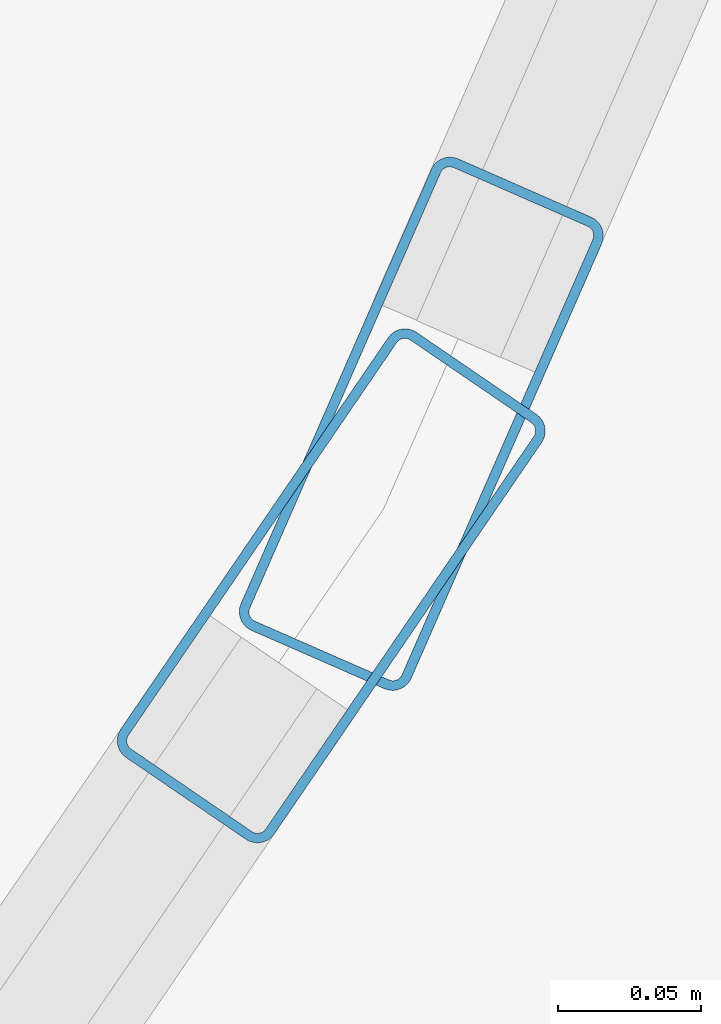
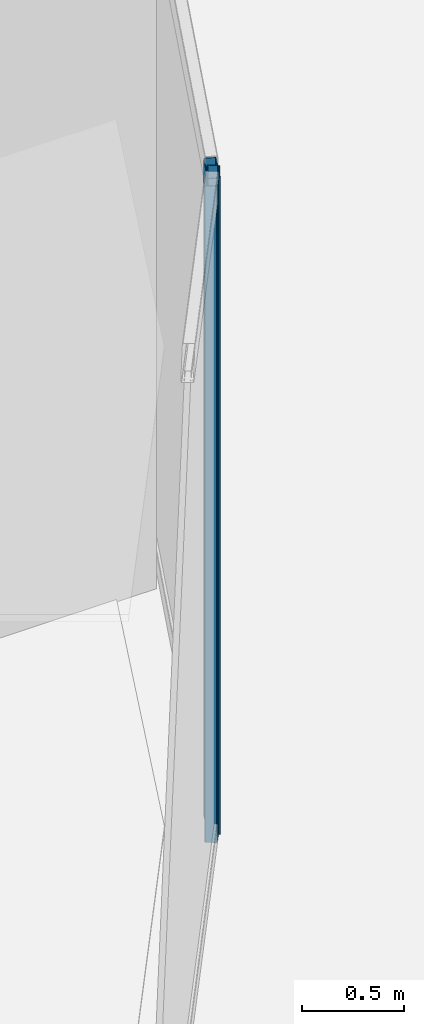
# One storey, part 11 of 45: 2 members, 2 elements without a shape of their own.
"""IFC4 building model written with IfcOpenShell, lengths in metres."""

from ifc_helpers import new_model, si_unit, direction, frame, origin, origin_2d, place, context, subcontext, project, spatial, hollow_rectangle, extrude, material, layer, layer_set, material_profile, profile_set, type_object, element, aggregate, save


model = new_model("IFC4")

# Units and contexts
model_context = context("Model", 3, precision=1e-05, world=origin(), true_north=direction((0.0, 1.0)))
body_context = subcontext(model_context, "Body", "Model", "MODEL_VIEW")
ifc_project = project(units=[si_unit("LENGTHUNIT", "METRE"), si_unit("AREAUNIT", "SQUARE_METRE"), si_unit("VOLUMEUNIT", "CUBIC_METRE"), si_unit("PLANEANGLEUNIT", "RADIAN"), si_unit("MASSUNIT", "GRAM", prefix="KILO")], contexts=[model_context])

# Site, building, storey
site_placement = place(None, origin())
site = spatial("IfcSite", under=ifc_project, at=site_placement, CompositionType="ELEMENT")
building_placement = place(site_placement, origin())
building = spatial("IfcBuilding", under=site, at=building_placement, Name="Qorvath Tower", CompositionType="ELEMENT")
storey_placement = place(building_placement, frame((0.0, 0.0, 91.199951171875)))
storey = spatial("IfcBuildingStorey", under=building, at=storey_placement, Name="L20", CompositionType="ELEMENT", Elevation=91.199951171875)

# Curtain wall, member
ifc_material_1 = material(Name="Anodised aluminium and triple low-E glass", Category="aluminium")
ifc_layer = layer(ifc_material_1, 0.179931640625)
ifc_layer_set = layer_set([ifc_layer], Name="CW-SYS-2")
curtain_wall_type = type_object("IfcCurtainWallType", Name="CW-SYS-2", PredefinedType="NOTDEFINED", material=ifc_layer_set)
curtain_wall_1_placement = place(storey_placement, origin())
curtain_wall_1 = element("IfcCurtainWall", 1, at=curtain_wall_1_placement, inside=storey, type_object=curtain_wall_type, Name="Curtain Wall CW-2 CW-T-L20-5.1", PredefinedType="NOTDEFINED")
ifc_material_2 = material(Name="Anodised aluminium 6063-T6", Category="aluminium")
ifc_material_profile = material_profile(ifc_material_2, hollow_rectangle(XDim=0.06494140625, YDim=0.179931640625, WallThickness=0.00341796875, InnerFilletRadius=0.00341796875, OuterFilletRadius=0.007080078125, at=origin_2d()), Name="CWM 180x65")
ifc_profile_set = profile_set([ifc_material_profile], Name="Anodised aluminium 6063-T6")
member_type = type_object("IfcMemberType", Name="CWM-180", PredefinedType="MULLION", material=ifc_profile_set)
member_1_placement = place(storey_placement, frame((1.104248046875, -18.544921875, 0.0), z_axis=(0.0, 0.0, 1.0), x_axis=(-0.825732659314, 0.564061676895, 0.0)))
member_1 = element("IfcMember", 2, at=member_1_placement, type_object=member_type, Name="CW-2 mullion 2", PredefinedType="MULLION", context=body_context, shape_type="SweptSolid", body=[
    extrude(hollow_rectangle(XDim=0.06494140625, YDim=0.179931640625, WallThickness=0.00341796875, InnerFilletRadius=0.00341796875, OuterFilletRadius=0.007080078125, at=origin_2d()), origin(), (0.0, 0.0, 1.0), 3.920166015625),
])
aggregate(curtain_wall_1, [member_1])

curtain_wall_2_placement = place(storey_placement, origin())
curtain_wall_2 = element("IfcCurtainWall", 3, at=curtain_wall_2_placement, inside=storey, type_object=curtain_wall_type, Name="Curtain Wall CW-2 CW-T-L20-6.1", PredefinedType="NOTDEFINED")
member_2_placement = place(storey_placement, frame((1.1357421875, -18.48828125, 0.0), z_axis=(0.0, 0.0, 1.0), x_axis=(-0.915869083062, 0.401477051262, 0.0)))
member_2 = element("IfcMember", 4, at=member_2_placement, type_object=member_type, Name="CW-2 mullion 1", PredefinedType="MULLION", context=body_context, shape_type="SweptSolid", body=[
    extrude(hollow_rectangle(XDim=0.06494140625, YDim=0.179931640625, WallThickness=0.00341796875, InnerFilletRadius=0.00341796875, OuterFilletRadius=0.007080078125, at=origin_2d()), origin(), (0.0, 0.0, 1.0), 3.920166015625),
])
aggregate(curtain_wall_2, [member_2])

save(model, "model.ifc")
